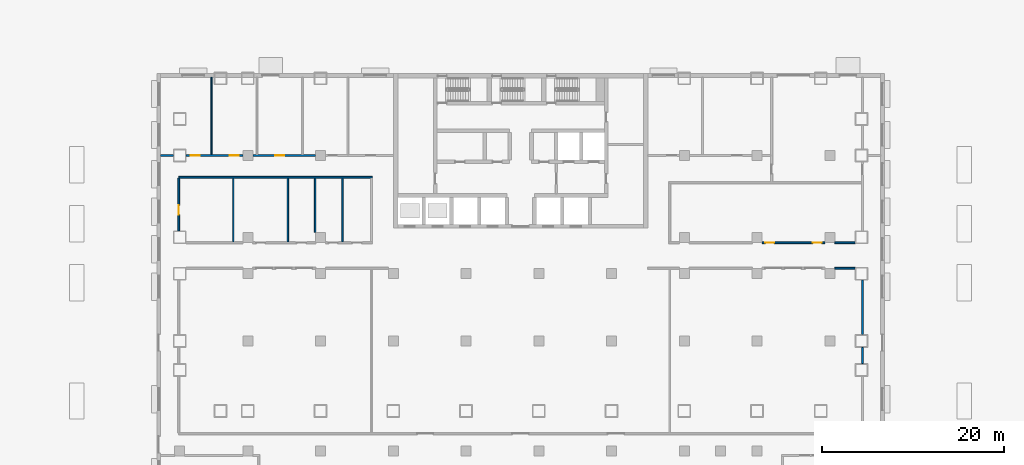
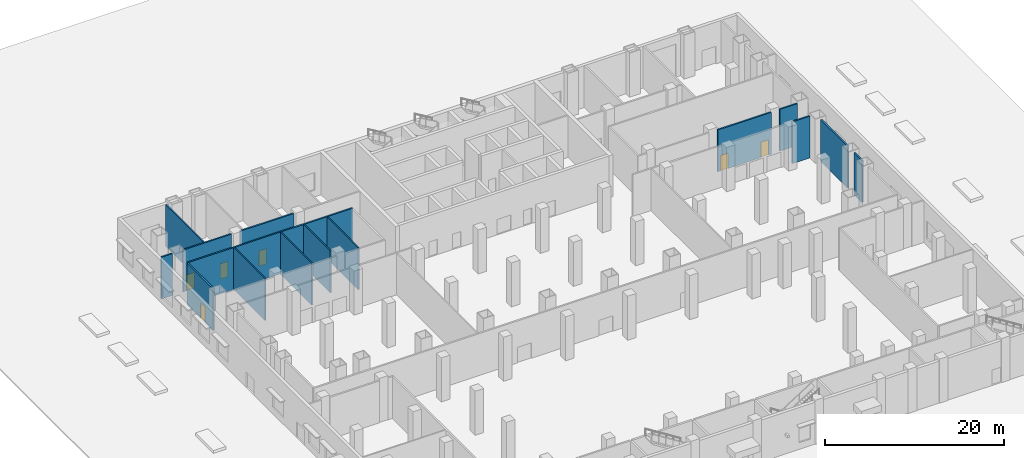
# One storey, part 7 of 18: 15 walls, 6 doors, 6 openings.
"""IFC4 building model written with IfcOpenShell, lengths in metres."""

from ifc_helpers import new_model, si_unit, direction, frame, frame_2d, origin, place, context, subcontext, project, spatial, rectangle, extrude, material, layer, layer_set, type_object, element, fill, save


model = new_model("IFC4")

# Units and contexts
model_context = context("Model", 3, precision=1e-05, world=origin(), true_north=direction((0.0, 1.0)))
body_context = subcontext(model_context, "Body", "Model", "MODEL_VIEW")
ifc_project = project(units=[si_unit("LENGTHUNIT", "METRE"), si_unit("AREAUNIT", "SQUARE_METRE"), si_unit("VOLUMEUNIT", "CUBIC_METRE"), si_unit("PLANEANGLEUNIT", "RADIAN"), si_unit("MASSUNIT", "GRAM", prefix="KILO")], contexts=[model_context])

# Site, building, storey
site_placement = place(None, origin())
site = spatial("IfcSite", under=ifc_project, at=site_placement, CompositionType="ELEMENT")
building_placement = place(site_placement, origin())
building = spatial("IfcBuilding", under=site, at=building_placement, Name="Vidyagriha Tower", CompositionType="ELEMENT")
storey_placement = place(building_placement, origin())
storey = spatial("IfcBuildingStorey", under=building, at=storey_placement, Name="L00", CompositionType="ELEMENT", Elevation=0.0)

# Wall
ifc_material_1 = material(Name="Fire rated gypsum board on light gauge framing")
ifc_layer_1 = layer(ifc_material_1, 0.199951171875)
ifc_layer_set_1 = layer_set([ifc_layer_1], Name="Fire rated gypsum board on light gauge framing")
wall_type_1 = type_object("IfcWallType", Name="Fire Rated Corridor Wall 200", PredefinedType="PARTITIONING", material=ifc_layer_set_1)
wall_1_placement = place(storey_placement, frame((34.550048828125, -1.39990234375, 0.0)))
element("IfcWall", 1, at=wall_1_placement, inside=storey, type_object=wall_type_1, Name="L00 Fire Rated Corridor Wall 200 028", PredefinedType="PARTITIONING", context=body_context, shape_type="SweptSolid", body=[
    extrude(rectangle(XDim=2.25, YDim=0.199951171875, at=frame_2d((1.125, 0.0))), origin(), (0.0, 0.0, 1.0), 5.699951171875),
])

# Wall, openings, doors
wall_2_placement = place(storey_placement, frame((26.550048828125, 1.39990234375, 0.0)))
wall_2 = element("IfcWall", 2, at=wall_2_placement, inside=storey, type_object=wall_type_1, Name="L00 Fire Rated Corridor Wall 200 034", PredefinedType="PARTITIONING", context=body_context, shape_type="SweptSolid", body=[
    extrude(rectangle(XDim=6.89990234375, YDim=0.199951171875, at=frame_2d((3.449951171875, 0.0))), origin(), (0.0, 0.0, 1.0), 5.699951171875),
])
opening_1_placement = place(wall_2_placement, frame((0.35009765625, 0.0, 0.0)))
opening_1 = element("IfcOpeningElement", 3, at=opening_1_placement, cuts=wall_2, Name="Opening D00-52", PredefinedType="OPENING", context=body_context, shape_type="SweptSolid", body=[
    extrude(rectangle(XDim=1.0, YDim=2.10009765625, at=frame_2d((0.5, 1.050048828125))), frame((0.0, 0.10986328125, 0.0), z_axis=(0.0, -1.0, 0.0), x_axis=(1.0, 0.0, 0.0)), (0.0, 0.0, 1.0), 0.219970703125),
])
opening_2_placement = place(wall_2_placement, frame((5.550048828125, 0.0, 0.0)))
opening_2 = element("IfcOpeningElement", 4, at=opening_2_placement, cuts=wall_2, Name="Opening D00-53", PredefinedType="OPENING", context=body_context, shape_type="SweptSolid", body=[
    extrude(rectangle(XDim=1.0, YDim=2.10009765625, at=frame_2d((0.5, 1.050048828125))), frame((0.0, 0.10986328125, 0.0), z_axis=(0.0, -1.0, 0.0), x_axis=(1.0, 0.0, 0.0)), (0.0, 0.0, 1.0), 0.219970703125),
])
ifc_material_2 = material(Name="Steel fire door set", Category="steel")
door_type_1 = type_object("IfcDoorType", Name="Podium Door 1000x2100 EI 60", OperationType="NOTDEFINED", PredefinedType="DOOR", material=ifc_material_2)
door_1_placement = place(opening_1_placement, origin())
door_1 = element("IfcDoor", 5, at=door_1_placement, inside=storey, type_object=door_type_1, Name="L00 door D00-52", OperationType="SINGLE_SWING_LEFT", OverallHeight=2.10009765625, OverallWidth=1.0, PredefinedType="DOOR", context=body_context, shape_type="SweptSolid", body=[
    extrude(rectangle(XDim=1.0, YDim=2.10009765625, at=frame_2d((0.5, 1.050048828125))), frame((0.0, 0.02490234375, 0.0), z_axis=(0.0, -1.0, 0.0), x_axis=(1.0, 0.0, 0.0)), (0.0, 0.0, 1.0), 0.050048828125),
])
fill(opening_1, door_1)
door_2_placement = place(opening_2_placement, origin())
door_2 = element("IfcDoor", 6, at=door_2_placement, inside=storey, type_object=door_type_1, Name="L00 door D00-53", OperationType="SINGLE_SWING_RIGHT", OverallHeight=2.10009765625, OverallWidth=1.0, PredefinedType="DOOR", context=body_context, shape_type="SweptSolid", body=[
    extrude(rectangle(XDim=1.0, YDim=2.10009765625, at=frame_2d((0.5, 1.050048828125))), frame((0.0, 0.02490234375, 0.0), z_axis=(0.0, -1.0, 0.0), x_axis=(1.0, 0.0, 0.0)), (0.0, 0.0, 1.0), 0.050048828125),
])
fill(opening_2, door_2)

# Walls
wall_3_placement = place(storey_placement, frame((34.550048828125, 1.39990234375, 0.0)))
element("IfcWall", 7, at=wall_3_placement, inside=storey, type_object=wall_type_1, Name="L00 Fire Rated Corridor Wall 200 035", PredefinedType="PARTITIONING", context=body_context, shape_type="SweptSolid", body=[
    extrude(rectangle(XDim=2.25, YDim=0.199951171875, at=frame_2d((1.125, 0.0))), origin(), (0.0, 0.0, 1.0), 5.699951171875),
])
wall_4_placement = place(storey_placement, frame((-37.599853515625, 8.60009765625, 0.0)))
element("IfcWall", 8, at=wall_4_placement, inside=storey, type_object=wall_type_1, Name="L00 Fire Rated Corridor Wall 200 037", PredefinedType="PARTITIONING", context=body_context, shape_type="SweptSolid", body=[
    extrude(rectangle(XDim=21.2998046875, YDim=0.199951171875, at=frame_2d((10.64990234375, 0.0))), origin(), (0.0, 0.0, 1.0), 5.699951171875),
])
wall_5_placement = place(storey_placement, frame((-39.60009765625, 11.0, 0.0)))
element("IfcWall", 9, at=wall_5_placement, inside=storey, type_object=wall_type_1, Name="L00 Fire Rated Corridor Wall 200 038", PredefinedType="PARTITIONING", context=body_context, shape_type="SweptSolid", body=[
    extrude(rectangle(XDim=1.400146484375, YDim=0.199951171875, at=frame_2d((0.7001953125, 0.0))), origin(), (0.0, 0.0, 1.0), 5.699951171875),
])

# Wall, openings, doors
wall_6_placement = place(storey_placement, frame((-36.800048828125, 11.0, 0.0)))
wall_6 = element("IfcWall", 10, at=wall_6_placement, inside=storey, type_object=wall_type_1, Name="L00 Fire Rated Corridor Wall 200 039", PredefinedType="PARTITIONING", context=body_context, shape_type="SweptSolid", body=[
    extrude(rectangle(XDim=6.25, YDim=0.199951171875, at=frame_2d((3.125, 0.0))), origin(), (0.0, 0.0, 1.0), 5.699951171875),
])
opening_3_placement = place(wall_6_placement, frame((0.5, 0.0, 0.0)))
opening_3 = element("IfcOpeningElement", 11, at=opening_3_placement, cuts=wall_6, Name="Opening D00-33", PredefinedType="OPENING", context=body_context, shape_type="SweptSolid", body=[
    extrude(rectangle(XDim=1.0, YDim=2.10009765625, at=frame_2d((0.5, 1.050048828125))), frame((0.0, 0.10986328125, 0.0), z_axis=(0.0, -1.0, 0.0), x_axis=(1.0, 0.0, 0.0)), (0.0, 0.0, 1.0), 0.219970703125),
])
opening_4_placement = place(wall_6_placement, frame((4.800048828125, 0.0, 0.0)))
opening_4 = element("IfcOpeningElement", 12, at=opening_4_placement, cuts=wall_6, Name="Opening D00-34", PredefinedType="OPENING", context=body_context, shape_type="SweptSolid", body=[
    extrude(rectangle(XDim=1.0, YDim=2.10009765625, at=frame_2d((0.5, 1.050048828125))), frame((0.0, 0.10986328125, 0.0), z_axis=(0.0, -1.0, 0.0), x_axis=(1.0, 0.0, 0.0)), (0.0, 0.0, 1.0), 0.219970703125),
])
ifc_material_3 = material(Name="Steel fire door set", Category="steel")
door_type_2 = type_object("IfcDoorType", Name="Podium Door 1000x2100 EI 30", OperationType="NOTDEFINED", PredefinedType="DOOR", material=ifc_material_3)
door_3_placement = place(opening_3_placement, origin())
door_3 = element("IfcDoor", 13, at=door_3_placement, inside=storey, type_object=door_type_2, Name="L00 door D00-33", OperationType="SINGLE_SWING_LEFT", OverallHeight=2.10009765625, OverallWidth=1.0, PredefinedType="DOOR", context=body_context, shape_type="SweptSolid", body=[
    extrude(rectangle(XDim=1.0, YDim=2.10009765625, at=frame_2d((0.5, 1.050048828125))), frame((0.0, 0.02490234375, 0.0), z_axis=(0.0, -1.0, 0.0), x_axis=(1.0, 0.0, 0.0)), (0.0, 0.0, 1.0), 0.050048828125),
])
fill(opening_3, door_3)
door_4_placement = place(opening_4_placement, origin())
door_4 = element("IfcDoor", 14, at=door_4_placement, inside=storey, type_object=door_type_2, Name="L00 door D00-34", OperationType="SINGLE_SWING_RIGHT", OverallHeight=2.10009765625, OverallWidth=1.0, PredefinedType="DOOR", context=body_context, shape_type="SweptSolid", body=[
    extrude(rectangle(XDim=1.0, YDim=2.10009765625, at=frame_2d((0.5, 1.050048828125))), frame((0.0, 0.02490234375, 0.0), z_axis=(0.0, -1.0, 0.0), x_axis=(1.0, 0.0, 0.0)), (0.0, 0.0, 1.0), 0.050048828125),
])
fill(opening_4, door_4)

# Wall, opening, door
wall_7_placement = place(storey_placement, frame((-29.449951171875, 11.0, 0.0)))
wall_7 = element("IfcWall", 15, at=wall_7_placement, inside=storey, type_object=wall_type_1, Name="L00 Fire Rated Corridor Wall 200 040", PredefinedType="PARTITIONING", context=body_context, shape_type="SweptSolid", body=[
    extrude(rectangle(XDim=6.89990234375, YDim=0.199951171875, at=frame_2d((3.449951171875, 0.0))), origin(), (0.0, 0.0, 1.0), 5.699951171875),
])
opening_5_placement = place(wall_7_placement, frame((2.449951171875, 0.0, 0.0)))
opening_5 = element("IfcOpeningElement", 16, at=opening_5_placement, cuts=wall_7, Name="Opening D00-35", PredefinedType="OPENING", context=body_context, shape_type="SweptSolid", body=[
    extrude(rectangle(XDim=1.0, YDim=2.10009765625, at=frame_2d((0.5, 1.050048828125))), frame((0.0, 0.10986328125, 0.0), z_axis=(0.0, -1.0, 0.0), x_axis=(1.0, 0.0, 0.0)), (0.0, 0.0, 1.0), 0.219970703125),
])
door_5_placement = place(opening_5_placement, origin())
door_5 = element("IfcDoor", 17, at=door_5_placement, inside=storey, type_object=door_type_2, Name="L00 door D00-35", OperationType="SINGLE_SWING_LEFT", OverallHeight=2.10009765625, OverallWidth=1.0, PredefinedType="DOOR", context=body_context, shape_type="SweptSolid", body=[
    extrude(rectangle(XDim=1.0, YDim=2.10009765625, at=frame_2d((0.5, 1.050048828125))), frame((0.0, 0.02490234375, 0.0), z_axis=(0.0, -1.0, 0.0), x_axis=(1.0, 0.0, 0.0)), (0.0, 0.0, 1.0), 0.050048828125),
])
fill(opening_5, door_5)

wall_8_placement = place(storey_placement, frame((-37.60009765625, 2.699951171875, 0.0), z_axis=(0.0, 0.0, 1.0), x_axis=(0.0, 1.0, 0.0)))
wall_8 = element("IfcWall", 18, at=wall_8_placement, inside=storey, type_object=wall_type_1, Name="L00 Fire Rated Corridor Wall 200 049", PredefinedType="PARTITIONING", context=body_context, shape_type="SweptSolid", body=[
    extrude(rectangle(XDim=5.800048828125, YDim=0.199951171875, at=frame_2d((2.89990234375, 0.0))), origin(), (0.0, 0.0, 1.0), 5.699951171875),
])
opening_6_placement = place(wall_8_placement, frame((1.800048828125, 0.0, 0.0)))
opening_6 = element("IfcOpeningElement", 19, at=opening_6_placement, cuts=wall_8, Name="Opening D00-28", PredefinedType="OPENING", context=body_context, shape_type="SweptSolid", body=[
    extrude(rectangle(XDim=1.0, YDim=2.10009765625, at=frame_2d((0.5, 1.050048828125))), frame((0.0, 0.10986328125, 0.0), z_axis=(0.0, -1.0, 0.0), x_axis=(1.0, 0.0, 0.0)), (0.0, 0.0, 1.0), 0.219970703125),
])
door_6_placement = place(opening_6_placement, frame((1.0, 0.0, 0.0), z_axis=(0.0, 0.0, 1.0), x_axis=(-1.0, 0.0, 0.0)))
door_6 = element("IfcDoor", 20, at=door_6_placement, inside=storey, type_object=door_type_2, Name="L00 door D00-28", OperationType="SINGLE_SWING_LEFT", OverallHeight=2.10009765625, OverallWidth=1.0, PredefinedType="DOOR", context=body_context, shape_type="SweptSolid", body=[
    extrude(rectangle(XDim=1.0, YDim=2.10009765625, at=frame_2d((0.5, 1.050048828125))), frame((0.0, 0.02490234375, 0.0), z_axis=(0.0, -1.0, 0.0), x_axis=(1.0, 0.0, 0.0)), (0.0, 0.0, 1.0), 0.050048828125),
])
fill(opening_6, door_6)

# Walls
wall_9_placement = place(storey_placement, frame((37.60009765625, -11.89990234375, 0.0), z_axis=(0.0, 0.0, 1.0), x_axis=(0.0, 1.0, 0.0)))
element("IfcWall", 21, at=wall_9_placement, inside=storey, type_object=wall_type_1, Name="L00 Fire Rated Corridor Wall 200 075", PredefinedType="PARTITIONING", context=body_context, shape_type="SweptSolid", body=[
    extrude(rectangle(XDim=1.7998046875, YDim=0.199951171875, at=frame_2d((0.89990234375, 0.0))), origin(), (0.0, 0.0, 1.0), 5.699951171875),
])
wall_10_placement = place(storey_placement, frame((37.60009765625, -8.699951171875, 0.0), z_axis=(0.0, 0.0, 1.0), x_axis=(0.0, 1.0, 0.0)))
element("IfcWall", 22, at=wall_10_placement, inside=storey, type_object=wall_type_1, Name="L00 Fire Rated Corridor Wall 200 076", PredefinedType="PARTITIONING", context=body_context, shape_type="SweptSolid", body=[
    extrude(rectangle(XDim=6.0, YDim=0.199951171875, at=frame_2d((3.0, 0.0))), origin(), (0.0, 0.0, 1.0), 5.699951171875),
])
ifc_material_4 = material(Name="Gypsum board on light gauge framing")
ifc_layer_2 = layer(ifc_material_4, 0.14990234375)
ifc_layer_set_2 = layer_set([ifc_layer_2], Name="Gypsum board on light gauge framing")
wall_type_2 = type_object("IfcWallType", Name="Gypsum Board Partition 150", PredefinedType="PARTITIONING", material=ifc_layer_set_2)
wall_11_placement = place(storey_placement, frame((-34.0, 11.10009765625, 0.0), z_axis=(0.0, 0.0, 1.0), x_axis=(0.0, 1.0, 0.0)))
element("IfcWall", 23, at=wall_11_placement, inside=storey, type_object=wall_type_2, Name="L00 Gypsum Board Partition 150 050", PredefinedType="PARTITIONING", context=body_context, shape_type="SweptSolid", body=[
    extrude(rectangle(XDim=8.499755859375, YDim=0.14990234375, at=frame_2d((4.25, 0.0))), origin(), (0.0, 0.0, 1.0), 5.699951171875),
])
for number, where, z_axis, x_axis, name in (
    (24, (-31.60009765625, 1.5, 0.0), (0.0, 0.0, 1.0), (0.0, 1.0, 0.0), "L00 Gypsum Board Partition 150 052"),
    (25, (-25.60009765625, 1.5, 0.0), (0.0, 0.0, 1.0), (0.0, 1.0, 0.0), "L00 Gypsum Board Partition 150 055"),
):
    element("IfcWall", number, at=place(storey_placement, frame(where, z_axis=z_axis, x_axis=x_axis)), inside=storey, type_object=wall_type_2, Name=name, PredefinedType="PARTITIONING", context=body_context, shape_type="SweptSolid", body=[
        extrude(rectangle(XDim=7.0, YDim=0.14990234375, at=frame_2d((3.5, 0.0))), origin(), (0.0, 0.0, 1.0), 5.699951171875),
    ])
wall_12_placement = place(storey_placement, frame((-22.60009765625, 2.550048828125, 0.0), z_axis=(0.0, 0.0, 1.0), x_axis=(0.0, 1.0, 0.0)))
element("IfcWall", 26, at=wall_12_placement, inside=storey, type_object=wall_type_2, Name="L00 Gypsum Board Partition 150 058", PredefinedType="PARTITIONING", context=body_context, shape_type="SweptSolid", body=[
    extrude(rectangle(XDim=5.949951171875, YDim=0.14990234375, at=frame_2d((2.97509765625, 0.0))), origin(), (0.0, 0.0, 1.0), 5.699951171875),
])
wall_13_placement = place(storey_placement, frame((-19.60009765625, 1.5, 0.0), z_axis=(0.0, 0.0, 1.0), x_axis=(0.0, 1.0, 0.0)))
element("IfcWall", 27, at=wall_13_placement, inside=storey, type_object=wall_type_2, Name="L00 Gypsum Board Partition 150 059", PredefinedType="PARTITIONING", context=body_context, shape_type="SweptSolid", body=[
    extrude(rectangle(XDim=7.0, YDim=0.14990234375, at=frame_2d((3.5, 0.0))), origin(), (0.0, 0.0, 1.0), 5.699951171875),
])

save(model, "model.ifc")
